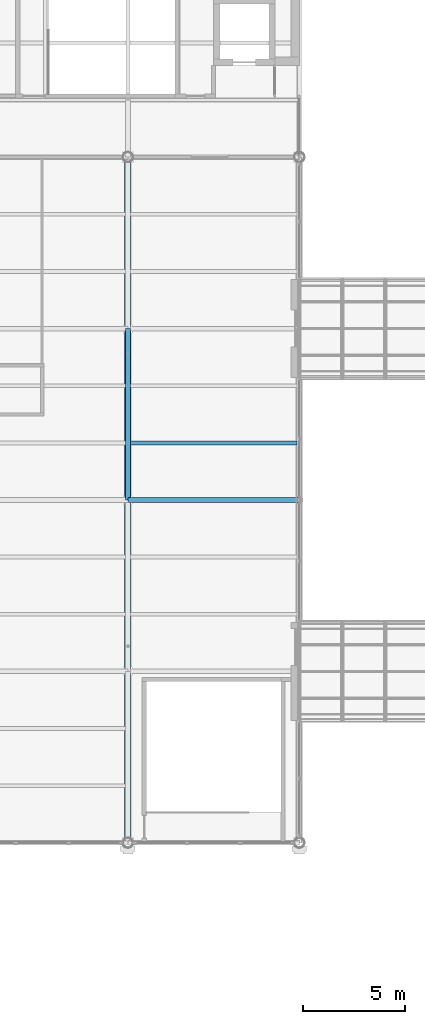
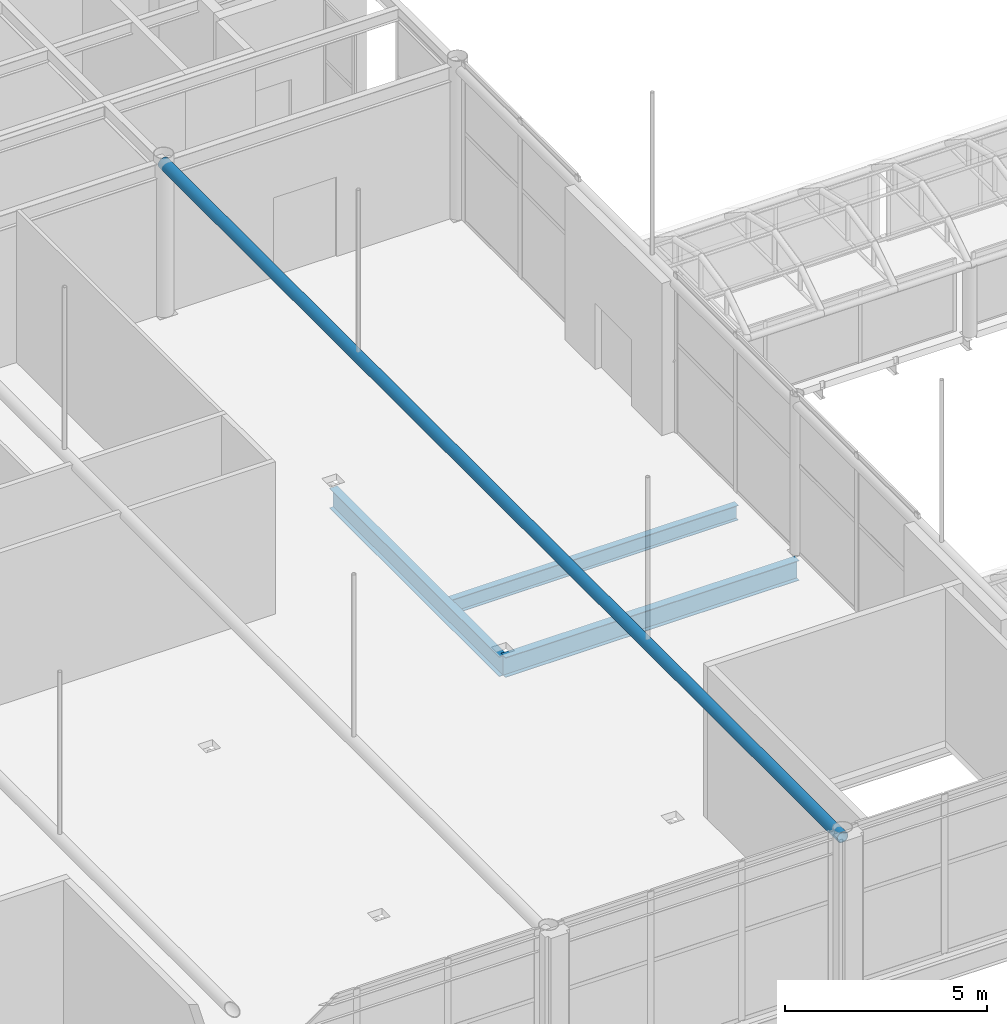
# One storey, part 88 of 167: 4 beams.
"""IFC4 building model written with IfcOpenShell, lengths in metres."""

from ifc_helpers import new_model, si_unit, direction, frame, origin, origin_2d, place, context, subcontext, project, spatial, hollow_circle, i_section, extrude, material, material_profile, profile_set, type_object, element, save


model = new_model("IFC4")

# Units and contexts
model_context = context("Model", 3, precision=1e-05, world=origin(), true_north=direction((0.0, 1.0)))
body_context = subcontext(model_context, "Body", "Model", "MODEL_VIEW")
ifc_project = project(units=[si_unit("LENGTHUNIT", "METRE"), si_unit("AREAUNIT", "SQUARE_METRE"), si_unit("VOLUMEUNIT", "CUBIC_METRE"), si_unit("PLANEANGLEUNIT", "RADIAN"), si_unit("MASSUNIT", "GRAM", prefix="KILO")], contexts=[model_context])

# Site, building, storey
site_placement = place(None, origin())
site = spatial("IfcSite", under=ifc_project, at=site_placement, CompositionType="ELEMENT")
building_placement = place(site_placement, origin())
building = spatial("IfcBuilding", under=site, at=building_placement, Name="Catenary Quay Ferry Terminal", CompositionType="ELEMENT")
storey_placement = place(building_placement, frame((0.0, 0.0, 6.0)))
storey = spatial("IfcBuildingStorey", under=building, at=storey_placement, Name="L01", CompositionType="ELEMENT", Elevation=6.0)

# Beams
ifc_material_1 = material(Name="Steel S355", Category="steel")
ifc_material_profile_1 = material_profile(ifc_material_1, i_section(OverallWidth=0.2275390625, OverallDepth=0.6025390625, WebThickness=0.010498046875, FlangeThickness=0.014892578125, at=origin_2d()), Name="UB 610x229x101")
ifc_profile_set_1 = profile_set([ifc_material_profile_1], Name="Steel S355")
beam_type_1 = type_object("IfcBeamType", Name="B3 UB 610x229x101", PredefinedType="BEAM", material=ifc_profile_set_1)
for number, where, z_axis, x_axis, name in (
    (1, (84.0, 84.0, -0.5009765625), (1.0, 0.0, 0.0), (0.0, 1.0, 0.0), "Beam B3-012"),
    (2, (84.0, 84.0, -0.5009765625), (0.0, 1.0, 0.0), (-1.0, 0.0, 0.0), "Beam B3-042"),
):
    element("IfcBeam", number, at=place(storey_placement, frame(where, z_axis=z_axis, x_axis=x_axis)), inside=storey, type_object=beam_type_1, Name=name, PredefinedType="BEAM", context=body_context, shape_type="SweptSolid", body=[
        extrude(i_section(OverallWidth=0.2275390625, OverallDepth=0.6025390625, WebThickness=0.010498046875, FlangeThickness=0.014892578125, at=origin_2d()), origin(), (0.0, 0.0, 1.0), 8.39990234375),
    ])
ifc_material_2 = material(Name="Steel S355", Category="steel")
ifc_material_profile_2 = material_profile(ifc_material_2, i_section(OverallWidth=0.18994140625, OverallDepth=0.449951171875, WebThickness=0.009521484375, FlangeThickness=0.0146484375, at=origin_2d()), Name="IPE 450")
ifc_profile_set_2 = profile_set([ifc_material_profile_2], Name="Steel S355")
beam_type_2 = type_object("IfcBeamType", Name="B4 IPE 450", PredefinedType="BEAM", material=ifc_profile_set_2)
beam_1_placement = place(storey_placement, frame((84.114013671875, 86.800048828125, -0.425048828125), z_axis=(1.0, 0.0, 0.0), x_axis=(0.0, 1.0, 0.0)))
element("IfcBeam", 3, at=beam_1_placement, inside=storey, type_object=beam_type_2, Name="Beam B4-016", PredefinedType="BEAM", context=body_context, shape_type="SweptSolid", body=[
    extrude(i_section(OverallWidth=0.18994140625, OverallDepth=0.449951171875, WebThickness=0.009521484375, FlangeThickness=0.0146484375, at=origin_2d()), origin(), (0.0, 0.0, 1.0), 8.171875),
])
ifc_material_3 = material(Name="Steel S355", Category="steel")
ifc_material_profile_3 = material_profile(ifc_material_3, hollow_circle(Radius=0.161865234375, WallThickness=0.01611328125, at=origin_2d()), Name="CHS 323.9x16")
ifc_profile_set_3 = profile_set([ifc_material_profile_3], Name="Steel S355")
beam_type_3 = type_object("IfcBeamType", Name="TB3 CHS 323.9x16", PredefinedType="BEAM", material=ifc_profile_set_3)
beam_2_placement = place(storey_placement, frame((84.0, 67.199951171875, 4.5), z_axis=(0.0, 1.0, 0.0), x_axis=(-1.0, 0.0, 0.0)))
element("IfcBeam", 4, at=beam_2_placement, inside=storey, type_object=beam_type_3, Name="Vault tie beam VA-08", PredefinedType="BEAM", context=body_context, shape_type="SweptSolid", body=[
    extrude(hollow_circle(Radius=0.161865234375, WallThickness=0.01611328125, at=origin_2d()), origin(), (0.0, 0.0, 1.0), 33.60009765625),
])

save(model, "model.ifc")
